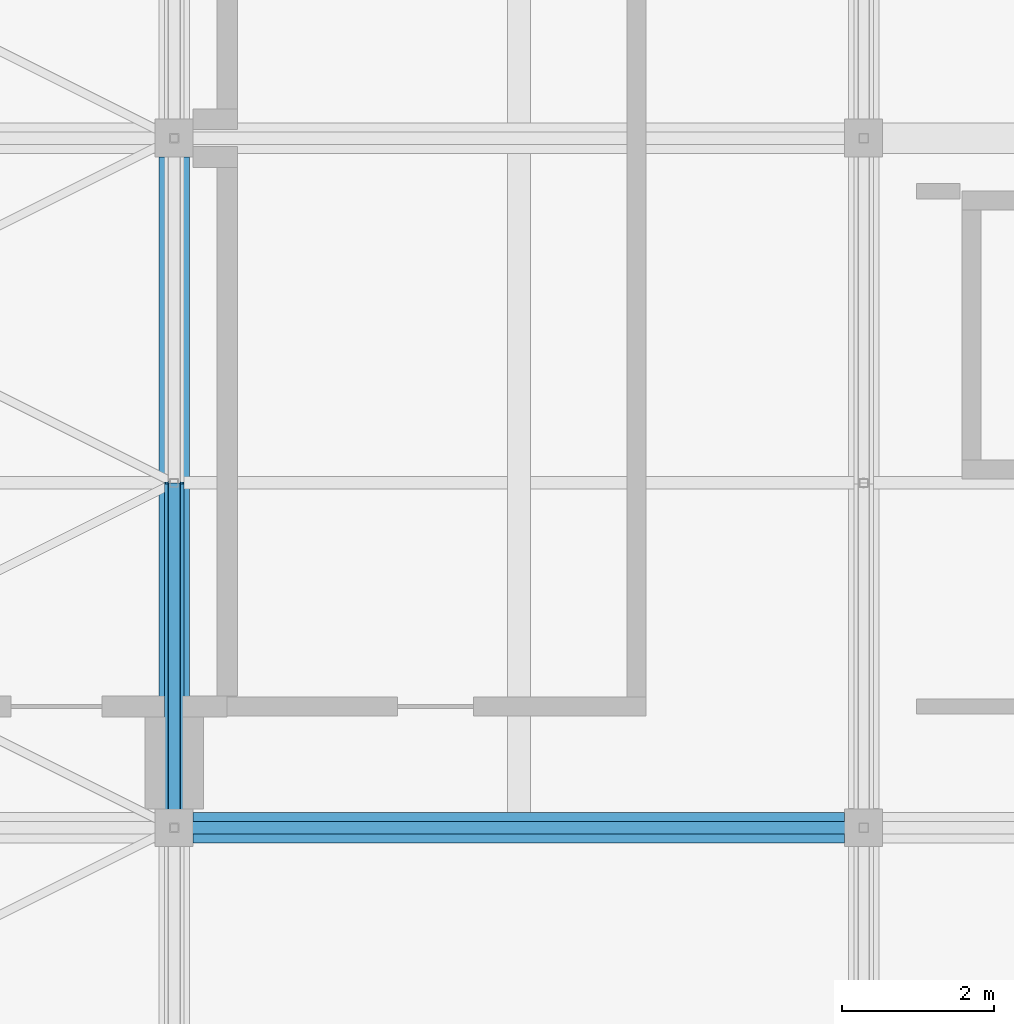
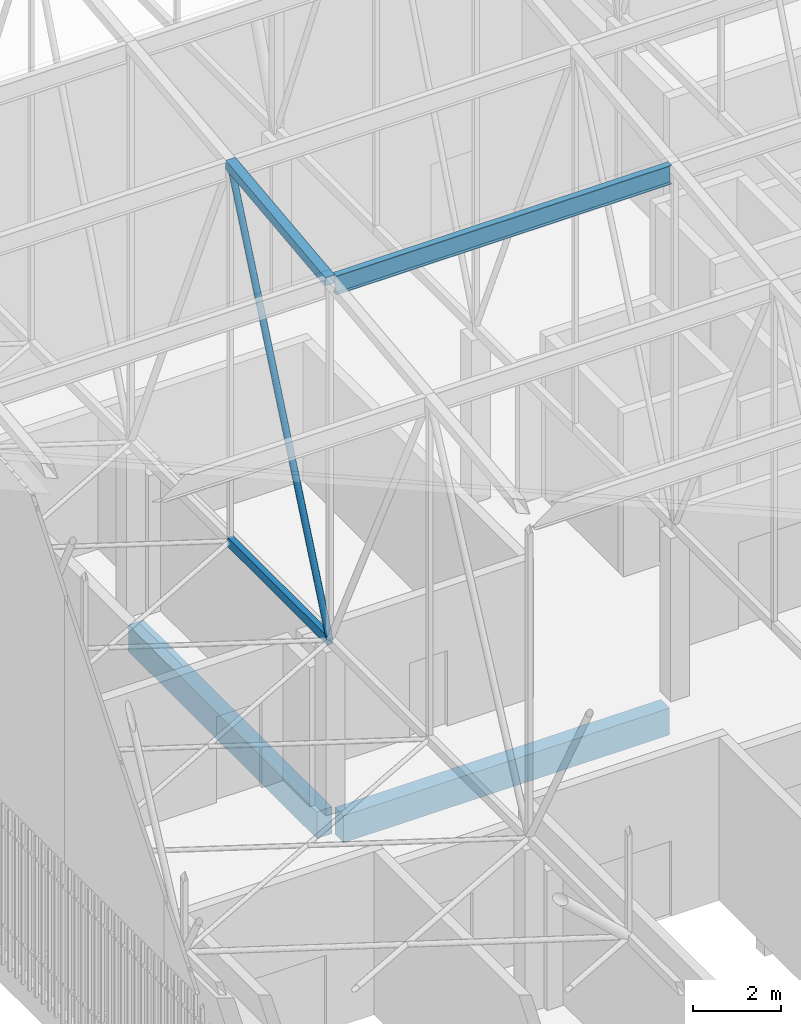
# One storey, part 22 of 500: 4 members, 2 beams.
"""IFC4 building model written with IfcOpenShell, lengths in metres."""

from ifc_helpers import new_model, si_unit, direction, frame, origin, origin_2d, place, context, subcontext, project, spatial, rectangle, hollow_rectangle, hollow_circle, i_section, extrude, material, material_profile, profile_set, type_object, element, save


model = new_model("IFC4")

# Units and contexts
model_context = context("Model", 3, precision=1e-05, world=origin(), true_north=direction((0.0, 1.0)))
body_context = subcontext(model_context, "Body", "Model", "MODEL_VIEW")
ifc_project = project(units=[si_unit("LENGTHUNIT", "METRE"), si_unit("AREAUNIT", "SQUARE_METRE"), si_unit("VOLUMEUNIT", "CUBIC_METRE"), si_unit("PLANEANGLEUNIT", "RADIAN"), si_unit("MASSUNIT", "GRAM", prefix="KILO")], contexts=[model_context])

# Site, building, storey
site_placement = place(None, origin())
site = spatial("IfcSite", under=ifc_project, at=site_placement, CompositionType="ELEMENT")
building_placement = place(site_placement, origin())
building = spatial("IfcBuilding", under=site, at=building_placement, Name="Shirokan Park Arena", CompositionType="ELEMENT")
storey_placement = place(building_placement, frame((0.0, 0.0, 29.1201171875)))
storey = spatial("IfcBuildingStorey", under=building, at=storey_placement, Name="L06", CompositionType="ELEMENT", Elevation=29.1201171875)

# Members
ifc_material_1 = material(Name="Steel ASTM A500 Grade C", Category="steel")
ifc_material_profile_1 = material_profile(ifc_material_1, hollow_rectangle(XDim=0.152099609375, YDim=0.25390625, WallThickness=0.009521484375, at=origin_2d()), Name="HSS254X152.4X9.5")
ifc_profile_set_1 = profile_set([ifc_material_profile_1], Name="Steel ASTM A500 Grade C")
member_type_1 = type_object("IfcMemberType", Name="Bottom chord HSS254X152.4X9.5", PredefinedType="CHORD", material=ifc_profile_set_1)
member_1_placement = place(storey_placement, frame((9.10009765625, 18.199951171875, 4.677001953125), z_axis=(0.0, 1.0, 0.0), x_axis=(-1.0, 0.0, 0.0)))
element("IfcMember", 1, at=member_1_placement, inside=storey, type_object=member_type_1, Name="Truss T02 bottom chord 7", PredefinedType="CHORD", context=body_context, shape_type="SweptSolid", body=[
    extrude(hollow_rectangle(XDim=0.152099609375, YDim=0.25390625, WallThickness=0.009521484375, at=origin_2d()), origin(), (0.0, 0.0, 1.0), 4.550048828125),
])
ifc_material_2 = material(Name="Steel ASTM A992", Category="steel")
ifc_material_profile_2 = material_profile(ifc_material_2, i_section(OverallWidth=0.166015625, OverallDepth=0.528076171875, WebThickness=0.009765625, FlangeThickness=0.013671875, at=origin_2d()), Name="W530X74")
ifc_profile_set_2 = profile_set([ifc_material_profile_2], Name="Steel ASTM A992")
member_type_2 = type_object("IfcMemberType", Name="Purlin W530X74", PredefinedType="PURLIN", material=ifc_profile_set_2)
member_2_placement = place(storey_placement, frame((9.22705078125, 18.199951171875, 14.56591796875), z_axis=(1.0, 0.0, 0.0), x_axis=(0.0, 1.0, 0.0)))
element("IfcMember", 2, at=member_2_placement, inside=storey, type_object=member_type_2, Name="Purlin 7 bay 2", PredefinedType="PURLIN", context=body_context, shape_type="SweptSolid", body=[
    extrude(i_section(OverallWidth=0.166015625, OverallDepth=0.528076171875, WebThickness=0.009765625, FlangeThickness=0.013671875, at=origin_2d()), origin(), (0.0, 0.0, 1.0), 8.845947265625),
])

# Beams
ifc_material_3 = material(Name="Concrete C35", Category="concrete")
ifc_material_profile_3 = material_profile(ifc_material_3, rectangle(XDim=0.39990234375, YDim=0.75, at=origin_2d()), Name="400x750")
ifc_profile_set_3 = profile_set([ifc_material_profile_3], Name="Concrete C35")
beam_type = type_object("IfcBeamType", Name="RC girder 400x750", PredefinedType="BEAM", material=ifc_profile_set_3)
beam_1_placement = place(storey_placement, frame((9.35009765625, 18.199951171875, -0.5751953125), z_axis=(1.0, 0.0, 0.0), x_axis=(0.0, 1.0, 0.0)))
element("IfcBeam", 3, at=beam_1_placement, inside=storey, type_object=beam_type, Name="Girder 2C-3C L06", PredefinedType="BEAM", context=body_context, shape_type="SweptSolid", body=[
    extrude(rectangle(XDim=0.39990234375, YDim=0.75, at=origin_2d()), origin(), (0.0, 0.0, 1.0), 8.599853515625),
])
beam_2_placement = place(storey_placement, frame((9.10009765625, 18.4501953125, -0.5751953125), z_axis=(0.0, 1.0, 0.0), x_axis=(-1.0, 0.0, 0.0)))
element("IfcBeam", 4, at=beam_2_placement, inside=storey, type_object=beam_type, Name="Girder 2C-2D L06", PredefinedType="BEAM", context=body_context, shape_type="SweptSolid", body=[
    extrude(rectangle(XDim=0.39990234375, YDim=0.75, at=origin_2d()), origin(), (0.0, 0.0, 1.0), 8.599609375),
])

# Members
ifc_material_profile_4 = material_profile(ifc_material_1, hollow_rectangle(XDim=0.25390625, YDim=0.25390625, WallThickness=0.009521484375, at=origin_2d()), Name="HSS254X254X9.5")
ifc_profile_set_4 = profile_set([ifc_material_profile_4], Name="Steel ASTM A500 Grade C")
member_type_3 = type_object("IfcMemberType", Name="Top chord HSS254X254X9.5", PredefinedType="CHORD", material=ifc_profile_set_4)
member_3_placement = place(storey_placement, frame((9.10009765625, 18.199951171875, 14.702880859375), z_axis=(0.0, 0.993532328996, 0.113549598152), x_axis=(-1.0, 0.0, 0.0)))
element("IfcMember", 5, at=member_3_placement, inside=storey, type_object=member_type_3, Name="Truss T02 top chord 7", PredefinedType="CHORD", context=body_context, shape_type="SweptSolid", body=[
    extrude(hollow_rectangle(XDim=0.25390625, YDim=0.25390625, WallThickness=0.009521484375, at=origin_2d()), origin(), (0.0, 0.0, 1.0), 4.57958984375),
])
ifc_material_profile_5 = material_profile(ifc_material_1, hollow_circle(Radius=0.083984375, WallThickness=0.009521484375, at=origin_2d()), Name="HSS168.3X9.5")
ifc_profile_set_5 = profile_set([ifc_material_profile_5], Name="Steel ASTM A500 Grade C")
member_type_4 = type_object("IfcMemberType", Name="Truss diagonal HSS168.3X9.5", PredefinedType="BRACE", material=ifc_profile_set_5)
member_4_placement = place(storey_placement, frame((9.10009765625, 18.199951171875, 4.677001953125), z_axis=(0.0, 0.396152605513, 0.918184683572), x_axis=(-1.0, 0.0, 0.0)))
element("IfcMember", 6, at=member_4_placement, inside=storey, type_object=member_type_4, Name="Truss T02 diagonal 7", PredefinedType="BRACE", context=body_context, shape_type="SweptSolid", body=[
    extrude(hollow_circle(Radius=0.083984375, WallThickness=0.009521484375, at=origin_2d()), origin(), (0.0, 0.0, 1.0), 11.485595703125),
])

save(model, "model.ifc")
